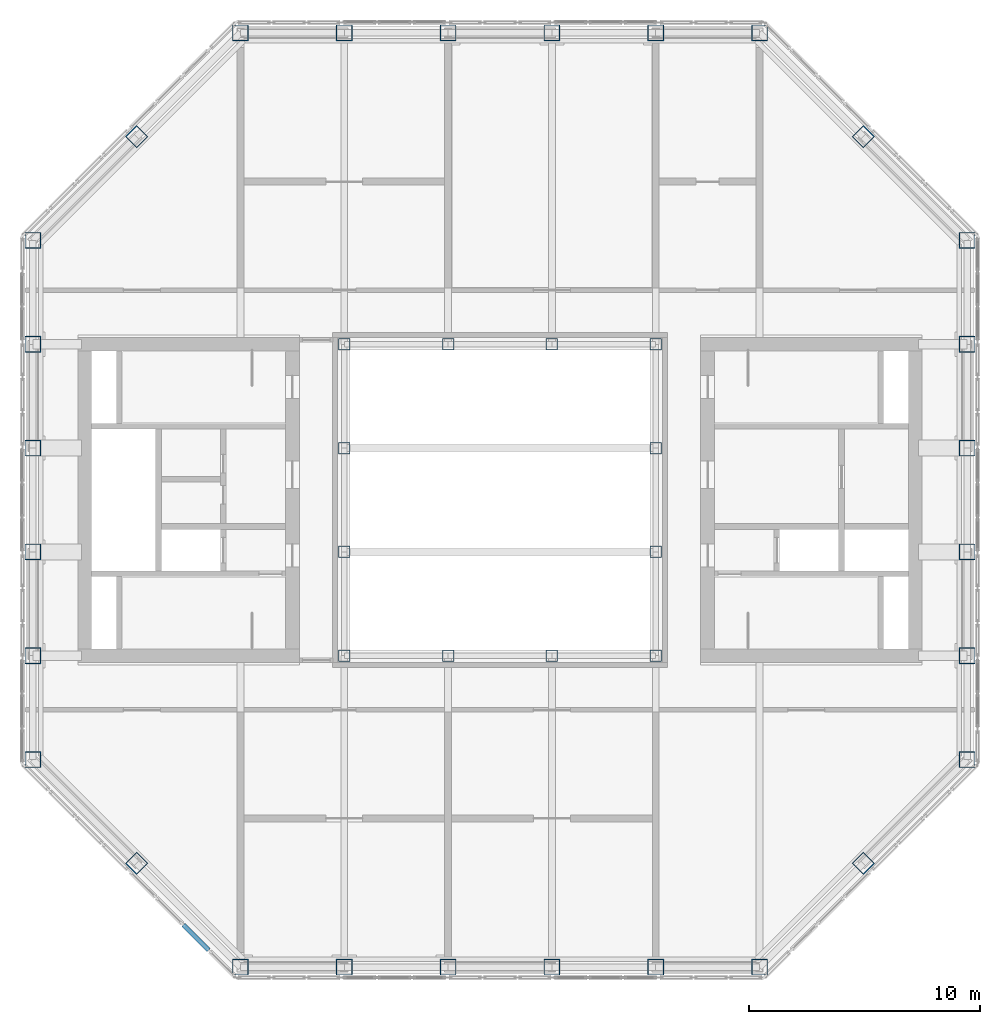
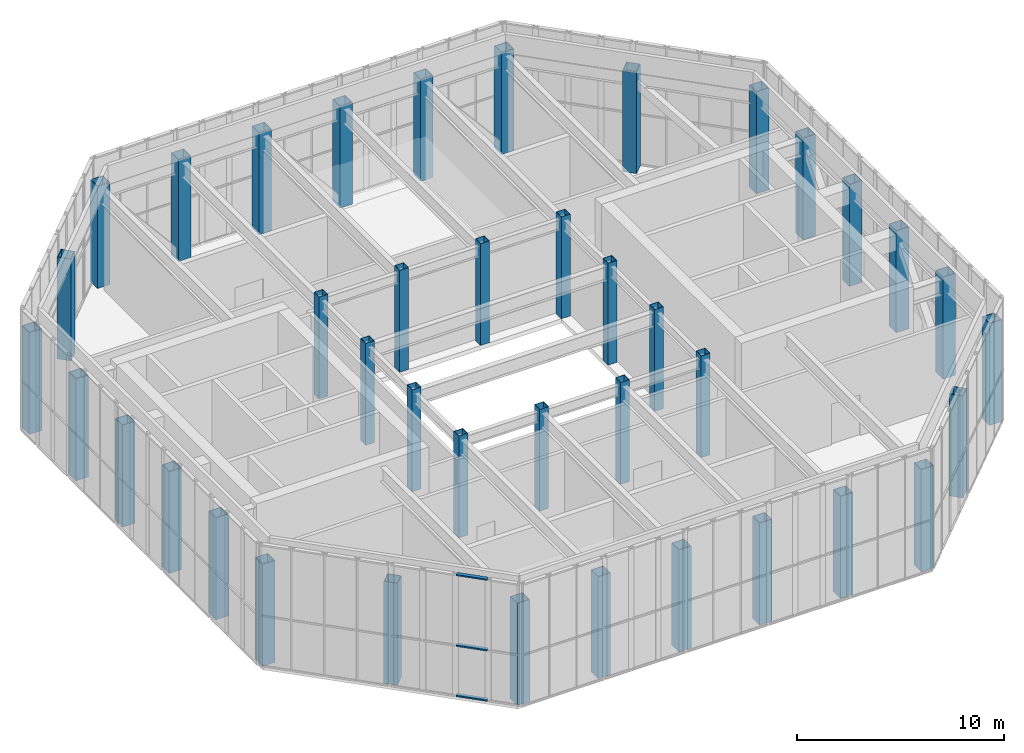
# One storey, part 1 of 15: 40 columns, 3 members, 1 element without a shape of its own.
"""IFC4 building model written with IfcOpenShell, lengths in metres."""

from ifc_helpers import new_model, si_unit, direction, frame, origin, origin_2d, place, context, subcontext, project, spatial, rectangle, hollow_rectangle, extrude, material, material_profile, profile_set, type_object, element, aggregate, save


model = new_model("IFC4")

# Units and contexts
model_context = context("Model", 3, precision=1e-05, world=origin(), true_north=direction((0.0, 1.0)))
body_context = subcontext(model_context, "Body", "Model", "MODEL_VIEW")
ifc_project = project(units=[si_unit("LENGTHUNIT", "METRE"), si_unit("AREAUNIT", "SQUARE_METRE"), si_unit("VOLUMEUNIT", "CUBIC_METRE"), si_unit("PLANEANGLEUNIT", "RADIAN"), si_unit("MASSUNIT", "GRAM", prefix="KILO")], contexts=[model_context])

# Site, building, storey
site_placement = place(None, origin())
site = spatial("IfcSite", under=ifc_project, at=site_placement, CompositionType="ELEMENT")
building_placement = place(site_placement, origin())
building = spatial("IfcBuilding", under=site, at=building_placement, Name="Msasa Ring Tower", CompositionType="ELEMENT")
storey_placement = place(building_placement, frame((0.0, 0.0, 268.050048828125)))
storey = spatial("IfcBuildingStorey", under=building, at=storey_placement, Name="L69", CompositionType="ELEMENT", Elevation=268.050048828125)

# Columns
ifc_material_1 = material(Name="Steel S355", Category="steel")
ifc_material_profile_1 = material_profile(ifc_material_1, hollow_rectangle(XDim=0.5, YDim=0.5, WallThickness=0.02490234375, at=origin_2d()), Name="BOX 500x500x25")
ifc_profile_set_1 = profile_set([ifc_material_profile_1], Name="Steel S355")
column_type_1 = type_object("IfcColumnType", Name="IC7 BOX 500x500x25", PredefinedType="COLUMN", material=ifc_profile_set_1)
for number, where, z_axis, x_axis, name in (
    (1, (-6.75, -6.75, 0.0), (0.0, 0.0, 1.0), (1.0, 0.0, 0.0), "Inner ring column IR-6.75-6.75 L69"),
    (2, (-6.75, -2.25, 0.0), (0.0, 0.0, 1.0), (1.0, 0.0, 0.0), "Inner ring column IR-6.75-2.25 L69"),
    (3, (-6.75, 2.25, 0.0), (0.0, 0.0, 1.0), (1.0, 0.0, 0.0), "Inner ring column IR-6.75+2.25 L69"),
    (4, (-6.75, 6.75, 0.0), (0.0, 0.0, 1.0), (1.0, 0.0, 0.0), "Inner ring column IR-6.75+6.75 L69"),
    (5, (-2.25, -6.75, 0.0), (0.0, 0.0, 1.0), (1.0, 0.0, 0.0), "Inner ring column IR-2.25-6.75 L69"),
    (6, (-2.25, 6.75, 0.0), (0.0, 0.0, 1.0), (1.0, 0.0, 0.0), "Inner ring column IR-2.25+6.75 L69"),
    (7, (2.25, -6.75, 0.0), (0.0, 0.0, 1.0), (1.0, 0.0, 0.0), "Inner ring column IR+2.25-6.75 L69"),
    (8, (2.25, 6.75, 0.0), (0.0, 0.0, 1.0), (1.0, 0.0, 0.0), "Inner ring column IR+2.25+6.75 L69"),
    (9, (6.75, -6.75, 0.0), (0.0, 0.0, 1.0), (1.0, 0.0, 0.0), "Inner ring column IR+6.75-6.75 L69"),
    (10, (6.75, -2.25, 0.0), (0.0, 0.0, 1.0), (1.0, 0.0, 0.0), "Inner ring column IR+6.75-2.25 L69"),
    (11, (6.75, 2.25, 0.0), (0.0, 0.0, 1.0), (1.0, 0.0, 0.0), "Inner ring column IR+6.75+2.25 L69"),
    (12, (6.75, 6.75, 0.0), (0.0, 0.0, 1.0), (1.0, 0.0, 0.0), "Inner ring column IR+6.75+6.75 L69"),
):
    element("IfcColumn", number, at=place(storey_placement, frame(where, z_axis=z_axis, x_axis=x_axis)), inside=storey, type_object=column_type_1, Name=name, PredefinedType="COLUMN", context=body_context, shape_type="SweptSolid", body=[
        extrude(hollow_rectangle(XDim=0.5, YDim=0.5, WallThickness=0.02490234375, at=origin_2d()), origin(), (0.0, 0.0, 1.0), 6.0),
    ])
ifc_material_2 = material(Name="Steel S355", Category="steel")
ifc_material_profile_2 = material_profile(ifc_material_2, hollow_rectangle(XDim=0.699951171875, YDim=0.699951171875, WallThickness=0.034912109375, at=origin_2d()), Name="BOX 700x700x35")
ifc_profile_set_2 = profile_set([ifc_material_profile_2], Name="Steel S355")
column_type_2 = type_object("IfcColumnType", Name="TC8 BOX 700x700x35", PredefinedType="COLUMN", material=ifc_profile_set_2)
for number, where, z_axis, x_axis, name in (
    (13, (-11.25, -20.25, 0.0), (0.0, 0.0, 1.0), (0.0, 1.0, 0.0), "Tube column S-11.25 L69"),
    (14, (-11.25, 20.25, 0.0), (0.0, 0.0, 1.0), (0.0, 1.0, 0.0), "Tube column N-11.25 L69"),
    (15, (20.25, -11.25, 0.0), (0.0, 0.0, 1.0), (1.0, 0.0, 0.0), "Tube column E-11.25 L69"),
    (16, (-20.25, -11.25, 0.0), (0.0, 0.0, 1.0), (1.0, 0.0, 0.0), "Tube column W-11.25 L69"),
    (17, (-6.75, -20.25, 0.0), (0.0, 0.0, 1.0), (0.0, 1.0, 0.0), "Tube column S-6.75 L69"),
    (18, (-6.75, 20.25, 0.0), (0.0, 0.0, 1.0), (0.0, 1.0, 0.0), "Tube column N-6.75 L69"),
    (19, (20.25, -6.75, 0.0), (0.0, 0.0, 1.0), (1.0, 0.0, 0.0), "Tube column E-6.75 L69"),
    (20, (-20.25, -6.75, 0.0), (0.0, 0.0, 1.0), (1.0, 0.0, 0.0), "Tube column W-6.75 L69"),
    (21, (-2.25, -20.25, 0.0), (0.0, 0.0, 1.0), (0.0, 1.0, 0.0), "Tube column S-2.25 L69"),
    (22, (-2.25, 20.25, 0.0), (0.0, 0.0, 1.0), (0.0, 1.0, 0.0), "Tube column N-2.25 L69"),
    (23, (20.25, -2.25, 0.0), (0.0, 0.0, 1.0), (1.0, 0.0, 0.0), "Tube column E-2.25 L69"),
    (24, (-20.25, -2.25, 0.0), (0.0, 0.0, 1.0), (1.0, 0.0, 0.0), "Tube column W-2.25 L69"),
    (25, (2.25, -20.25, 0.0), (0.0, 0.0, 1.0), (0.0, 1.0, 0.0), "Tube column S+2.25 L69"),
    (26, (2.25, 20.25, 0.0), (0.0, 0.0, 1.0), (0.0, 1.0, 0.0), "Tube column N+2.25 L69"),
    (27, (20.25, 2.25, 0.0), (0.0, 0.0, 1.0), (1.0, 0.0, 0.0), "Tube column E+2.25 L69"),
    (28, (-20.25, 2.25, 0.0), (0.0, 0.0, 1.0), (1.0, 0.0, 0.0), "Tube column W+2.25 L69"),
    (29, (6.75, -20.25, 0.0), (0.0, 0.0, 1.0), (0.0, 1.0, 0.0), "Tube column S+6.75 L69"),
    (30, (6.75, 20.25, 0.0), (0.0, 0.0, 1.0), (0.0, 1.0, 0.0), "Tube column N+6.75 L69"),
    (31, (20.25, 6.75, 0.0), (0.0, 0.0, 1.0), (1.0, 0.0, 0.0), "Tube column E+6.75 L69"),
    (32, (-20.25, 6.75, 0.0), (0.0, 0.0, 1.0), (1.0, 0.0, 0.0), "Tube column W+6.75 L69"),
    (33, (11.25, -20.25, 0.0), (0.0, 0.0, 1.0), (0.0, 1.0, 0.0), "Tube column S+11.25 L69"),
    (34, (11.25, 20.25, 0.0), (0.0, 0.0, 1.0), (0.0, 1.0, 0.0), "Tube column N+11.25 L69"),
    (35, (20.25, 11.25, 0.0), (0.0, 0.0, 1.0), (1.0, 0.0, 0.0), "Tube column E+11.25 L69"),
    (36, (-20.25, 11.25, 0.0), (0.0, 0.0, 1.0), (1.0, 0.0, 0.0), "Tube column W+11.25 L69"),
    (37, (15.75, -15.75, 0.0), (0.0, 0.0, 1.0), (0.707106781187, -0.707106781187, 0.0), "Tube column SE L69"),
    (38, (15.75, 15.75, 0.0), (0.0, 0.0, 1.0), (0.707106781187, 0.707106781187, 0.0), "Tube column NE L69"),
    (39, (-15.75, 15.75, 0.0), (0.0, 0.0, 1.0), (0.707106781187, -0.707106781187, 0.0), "Tube column NW L69"),
    (40, (-15.75, -15.75, 0.0), (0.0, 0.0, 1.0), (0.707106781187, 0.707106781187, 0.0), "Tube column SW L69"),
):
    element("IfcColumn", number, at=place(storey_placement, frame(where, z_axis=z_axis, x_axis=x_axis)), inside=storey, type_object=column_type_2, Name=name, PredefinedType="COLUMN", context=body_context, shape_type="SweptSolid", body=[
        extrude(hollow_rectangle(XDim=0.699951171875, YDim=0.699951171875, WallThickness=0.034912109375, at=origin_2d()), origin(), (0.0, 0.0, 1.0), 6.0),
    ])

# Curtain wall, members
ifc_material_3 = material(Name="Aluminium curtain wall with clear glass", Category="aluminium")
curtain_wall_type = type_object("IfcCurtainWallType", Name="CW-L LANTERN CURTAIN WALL", PredefinedType="NOTDEFINED", material=ifc_material_3)
curtain_wall_placement = place(storey_placement, origin())
curtain_wall = element("IfcCurtainWall", 41, at=curtain_wall_placement, inside=storey, type_object=curtain_wall_type, Name="Lantern curtain wall SW2 L69", PredefinedType="NOTDEFINED")
ifc_material_4 = material(Name="Aluminium transom", Category="aluminium")
ifc_material_profile_3 = material_profile(ifc_material_4, rectangle(XDim=0.199951171875, YDim=0.080078125, at=origin_2d()), Name="AL 80x200")
ifc_profile_set_3 = profile_set([ifc_material_profile_3], Name="Aluminium transom")
member_type = type_object("IfcMemberType", Name="CW-L TRANSOM 80x200", PredefinedType="USERDEFINED", material=ifc_profile_set_3)
member_1_placement = place(storey_placement, frame((-13.72412109375, -18.412353515625, 0.0400390625), z_axis=(0.707185143992, -0.707028409696, 0.0), x_axis=(0.707028409696, 0.707185143992, 0.0)))
member_1 = element("IfcMember", 42, at=member_1_placement, type_object=member_type, Name="CW-L transom 3.1", ObjectType="TRANSOM", PredefinedType="USERDEFINED", context=body_context, shape_type="SweptSolid", body=[
    extrude(rectangle(XDim=0.199951171875, YDim=0.080078125, at=origin_2d()), origin(), (0.0, 0.0, 1.0), 1.5576171875),
])
member_2_placement = place(storey_placement, frame((-13.72412109375, -18.412353515625, 3.0), z_axis=(0.707185143992, -0.707028409696, 0.0), x_axis=(0.707028409696, 0.707185143992, 0.0)))
member_2 = element("IfcMember", 43, at=member_2_placement, type_object=member_type, Name="CW-L transom 3.2", ObjectType="TRANSOM", PredefinedType="USERDEFINED", context=body_context, shape_type="SweptSolid", body=[
    extrude(rectangle(XDim=0.199951171875, YDim=0.080078125, at=origin_2d()), origin(), (0.0, 0.0, 1.0), 1.5576171875),
])
member_3_placement = place(storey_placement, frame((-13.72412109375, -18.412353515625, 7.159912109375), z_axis=(0.707185143992, -0.707028409696, 0.0), x_axis=(0.707028409696, 0.707185143992, 0.0)))
member_3 = element("IfcMember", 44, at=member_3_placement, type_object=member_type, Name="CW-L transom 3.3", ObjectType="TRANSOM", PredefinedType="USERDEFINED", context=body_context, shape_type="SweptSolid", body=[
    extrude(rectangle(XDim=0.199951171875, YDim=0.080078125, at=origin_2d()), origin(), (0.0, 0.0, 1.0), 1.5576171875),
])
aggregate(curtain_wall, [member_1, member_2, member_3])

save(model, "model.ifc")
